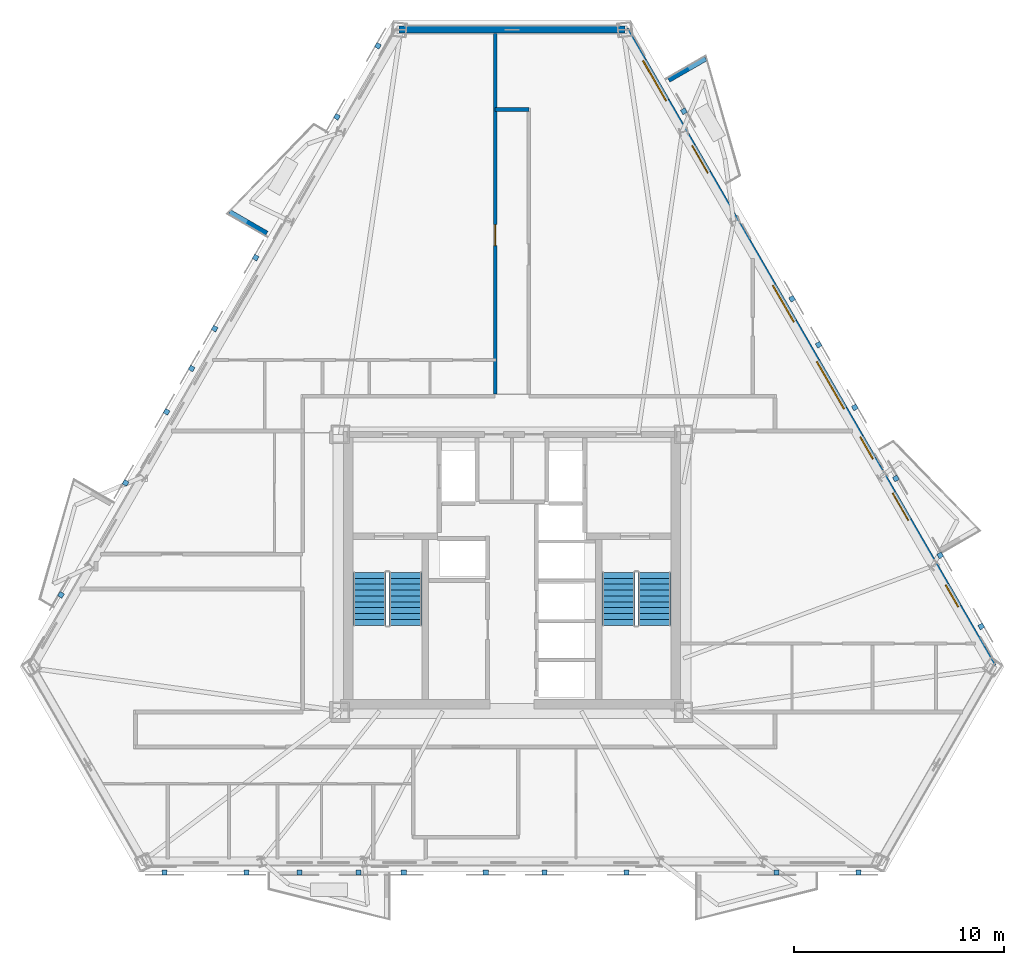
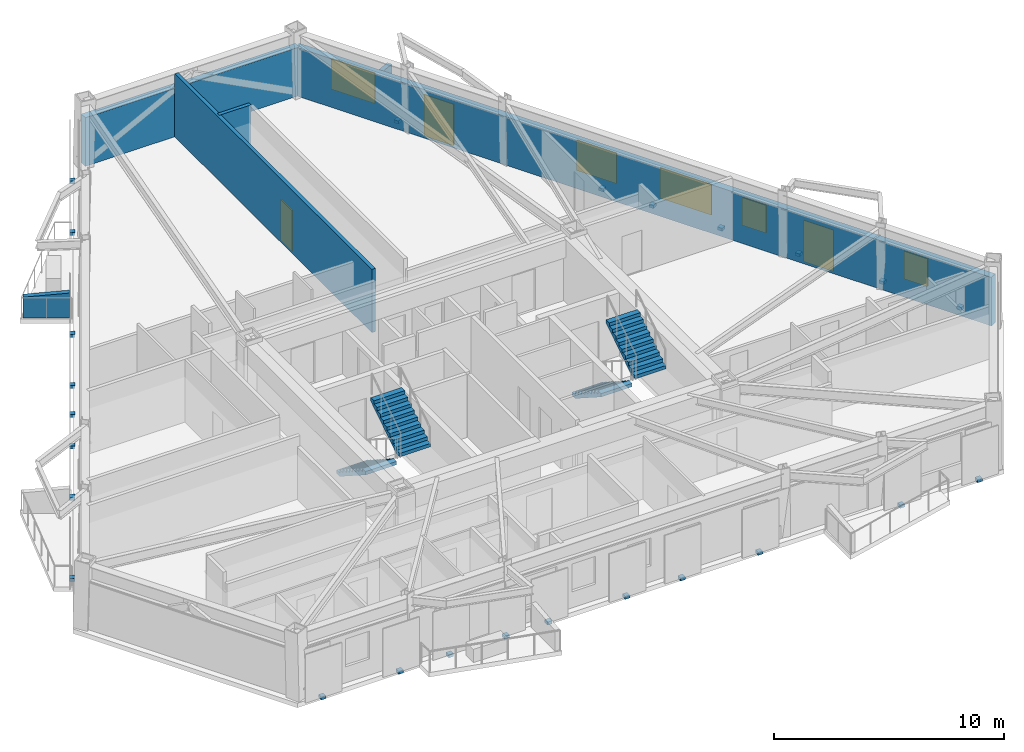
# One storey, part 6 of 9: 25 discrete accessories, 6 walls, 5 windows, 4 stair flights, 3 doors, 8 openings, 2 elements without a shape of their own.
"""IFC4 building model written with IfcOpenShell, lengths in metres."""

from ifc_helpers import new_model, si_unit, direction, frame, frame_2d, origin, origin_2d, place, context, subcontext, project, spatial, polyline, rectangle, outline, extrude, material, layer, layer_set, type_object, element, fill, aggregate, save


model = new_model("IFC4")

# Units and contexts
model_context = context("Model", 3, precision=1e-05, world=origin(), true_north=direction((0.0, 1.0)))
body_context = subcontext(model_context, "Body", "Model", "MODEL_VIEW")
ifc_project = project(units=[si_unit("LENGTHUNIT", "METRE"), si_unit("AREAUNIT", "SQUARE_METRE"), si_unit("VOLUMEUNIT", "CUBIC_METRE"), si_unit("PLANEANGLEUNIT", "RADIAN"), si_unit("MASSUNIT", "GRAM", prefix="KILO")], contexts=[model_context])

# Site, building, storey
site_placement = place(None, origin())
site = spatial("IfcSite", under=ifc_project, at=site_placement, CompositionType="ELEMENT")
building_placement = place(site_placement, origin())
building = spatial("IfcBuilding", under=site, at=building_placement, Name="Oramaril Tower", CompositionType="ELEMENT")
storey_placement = place(building_placement, frame((0.0, 0.0, 123.0)))
storey = spatial("IfcBuildingStorey", under=building, at=storey_placement, Name="L32", CompositionType="ELEMENT", Elevation=123.0)

# Wall, openings, doors, windows
ifc_material_1 = material(Name="Warm Cream Limestone", Category="masonry")
ifc_layer_1 = layer(ifc_material_1, 0.340087890625)
ifc_layer_set_1 = layer_set([ifc_layer_1], Name="WT-EXT34")
wall_type_1 = type_object("IfcWallType", Name="WT-EXT34", PredefinedType="SOLIDWALL", material=ifc_layer_set_1)
wall_1_placement = place(storey_placement, frame((60.363525390625, 13.10693359375, 0.0), z_axis=(0.0, 0.0, 1.0), x_axis=(-0.499996370967, 0.866027498997, 0.0)))
wall_1 = element("IfcWall", 1, at=wall_1_placement, inside=storey, type_object=wall_type_1, Name="L32 Tower Limestone Facade Wall 4M", PredefinedType="SOLIDWALL", context=body_context, shape_type="SweptSolid", body=[
    extrude(rectangle(XDim=34.975830078125, YDim=0.340087890625, at=frame_2d((17.48779296875, 0.0))), origin(), (0.0, 0.0, 1.0), 2.577880859375),
])
opening_1_placement = place(wall_1_placement, frame((8.034423828125, 0.0, 0.0)))
opening_1 = element("IfcOpeningElement", 2, at=opening_1_placement, cuts=wall_1, Name="Opening D-L32-BAL-NE1", PredefinedType="OPENING", context=body_context, shape_type="SweptSolid", body=[
    extrude(rectangle(XDim=1.5, YDim=2.199951171875, at=frame_2d((0.75, 1.10009765625))), frame((0.0, 0.169921875, 0.0), z_axis=(0.0, -1.0, 0.0), x_axis=(1.0, 0.0, 0.0)), (0.0, 0.0, 1.0), 0.340087890625),
])
opening_2_placement = place(wall_1_placement, frame((27.106201171875, 0.0, 0.0)))
opening_2 = element("IfcOpeningElement", 3, at=opening_2_placement, cuts=wall_1, Name="Opening D-L32-BAL-NE2", PredefinedType="OPENING", context=body_context, shape_type="SweptSolid", body=[
    extrude(rectangle(XDim=1.5, YDim=2.199951171875, at=frame_2d((0.75, 1.10009765625))), frame((0.0, 0.169921875, 0.0), z_axis=(0.0, -1.0, 0.0), x_axis=(1.0, 0.0, 0.0)), (0.0, 0.0, 1.0), 0.340087890625),
])
opening_3_placement = place(wall_1_placement, frame((3.284912109375, 0.0, 0.85009765625)))
opening_3 = element("IfcOpeningElement", 4, at=opening_3_placement, cuts=wall_1, Name="Opening WN-09", PredefinedType="OPENING", context=body_context, shape_type="SweptSolid", body=[
    extrude(rectangle(XDim=1.199951171875, YDim=1.47998046875, at=frame_2d((0.60009765625, 0.739990234375))), frame((0.0, 0.169921875, 0.0), z_axis=(0.0, -1.0, 0.0), x_axis=(1.0, 0.0, 0.0)), (0.0, 0.0, 1.0), 0.340087890625),
])
opening_4_placement = place(wall_1_placement, frame((11.405517578125, 0.0, 0.85009765625)))
opening_4 = element("IfcOpeningElement", 5, at=opening_4_placement, cuts=wall_1, Name="Opening WN-09", PredefinedType="OPENING", context=body_context, shape_type="SweptSolid", body=[
    extrude(rectangle(XDim=1.199951171875, YDim=1.47998046875, at=frame_2d((0.60009765625, 0.739990234375))), frame((0.0, 0.169921875, 0.0), z_axis=(0.0, -1.0, 0.0), x_axis=(1.0, 0.0, 0.0)), (0.0, 0.0, 1.0), 0.340087890625),
])
opening_5_placement = place(wall_1_placement, frame((31.066162109375, 0.0, 0.85009765625)))
opening_5 = element("IfcOpeningElement", 6, at=opening_5_placement, cuts=wall_1, Name="Opening WN-04", PredefinedType="OPENING", context=body_context, shape_type="SweptSolid", body=[
    extrude(rectangle(XDim=2.199951171875, YDim=1.617919921875, at=frame_2d((1.10009765625, 0.80908203125))), frame((0.0, 0.169921875, 0.0), z_axis=(0.0, -1.0, 0.0), x_axis=(1.0, 0.0, 0.0)), (0.0, 0.0, 1.0), 0.340087890625),
])
opening_6_placement = place(wall_1_placement, frame((14.148681640625, 0.0, 0.85009765625)))
opening_6 = element("IfcOpeningElement", 7, at=opening_6_placement, cuts=wall_1, Name="Opening WN-02", PredefinedType="OPENING", context=body_context, shape_type="SweptSolid", body=[
    extrude(rectangle(XDim=2.60009765625, YDim=1.617919921875, at=frame_2d((1.300048828125, 0.80908203125))), frame((0.0, 0.169921875, 0.0), z_axis=(0.0, -1.0, 0.0), x_axis=(1.0, 0.0, 0.0)), (0.0, 0.0, 1.0), 0.340087890625),
])
opening_7_placement = place(wall_1_placement, frame((18.923583984375, 0.0, 0.85009765625)))
opening_7 = element("IfcOpeningElement", 8, at=opening_7_placement, cuts=wall_1, Name="Opening WN-05", PredefinedType="OPENING", context=body_context, shape_type="SweptSolid", body=[
    extrude(rectangle(XDim=2.0, YDim=1.617919921875, at=frame_2d((1.0, 0.80908203125))), frame((0.0, 0.169921875, 0.0), z_axis=(0.0, -1.0, 0.0), x_axis=(1.0, 0.0, 0.0)), (0.0, 0.0, 1.0), 0.340087890625),
])
ifc_material_2 = material(Name="Anodised Aluminium 6063-T6", Category="aluminium")
door_type_1 = type_object("IfcDoorType", Name="DT-BAL", OperationType="NOTDEFINED", PredefinedType="DOOR", material=ifc_material_2)
door_1_placement = place(opening_1_placement, origin())
door_1 = element("IfcDoor", 9, at=door_1_placement, inside=storey, type_object=door_type_1, Name="L32 Balcony Glazed Door L32-BAL-NE1", OperationType="SINGLE_SWING_LEFT", OverallHeight=2.199951171875, OverallWidth=1.5, PredefinedType="DOOR", context=body_context, shape_type="SweptSolid", body=[
    extrude(rectangle(XDim=1.5, YDim=2.199951171875, at=frame_2d((0.75, 1.10009765625))), frame((0.0, 0.02490234375, 0.0), z_axis=(0.0, -1.0, 0.0), x_axis=(1.0, 0.0, 0.0)), (0.0, 0.0, 1.0), 0.050048828125),
])
fill(opening_1, door_1)
door_2_placement = place(opening_2_placement, origin())
door_2 = element("IfcDoor", 10, at=door_2_placement, inside=storey, type_object=door_type_1, Name="L32 Balcony Glazed Door L32-BAL-NE2", OperationType="SINGLE_SWING_RIGHT", OverallHeight=2.199951171875, OverallWidth=1.5, PredefinedType="DOOR", context=body_context, shape_type="SweptSolid", body=[
    extrude(rectangle(XDim=1.5, YDim=2.199951171875, at=frame_2d((0.75, 1.10009765625))), frame((0.0, 0.02490234375, 0.0), z_axis=(0.0, -1.0, 0.0), x_axis=(1.0, 0.0, 0.0)), (0.0, 0.0, 1.0), 0.050048828125),
])
fill(opening_2, door_2)
ifc_material_3 = material(Name="Coastal Low-E Insulated Glass", Category="glass")
window_type_1 = type_object("IfcWindowType", Name="WNT-02", PartitioningType="SINGLE_PANEL", PredefinedType="WINDOW", material=ifc_material_3)
window_1_placement = place(opening_6_placement, origin())
window_1 = element("IfcWindow", 11, at=window_1_placement, inside=storey, type_object=window_type_1, Name="L32 Chicago Bay Window WN-02", OverallHeight=1.617919921875, OverallWidth=2.60009765625, PartitioningType="SINGLE_PANEL", PredefinedType="WINDOW", context=body_context, shape_type="SweptSolid", body=[
    extrude(rectangle(XDim=2.60009765625, YDim=1.617919921875, at=frame_2d((1.300048828125, 0.80908203125))), frame((0.0, 0.030029296875, 0.0), z_axis=(0.0, -1.0, 0.0), x_axis=(1.0, 0.0, 0.0)), (0.0, 0.0, 1.0), 0.06005859375),
])
fill(opening_6, window_1)
ifc_material_4 = material(Name="Coastal Low-E Insulated Glass", Category="glass")
window_type_2 = type_object("IfcWindowType", Name="WNT-04", PartitioningType="SINGLE_PANEL", PredefinedType="WINDOW", material=ifc_material_4)
window_2_placement = place(opening_5_placement, origin())
window_2 = element("IfcWindow", 12, at=window_2_placement, inside=storey, type_object=window_type_2, Name="L32 Chicago Bay Window WN-04", OverallHeight=1.617919921875, OverallWidth=2.199951171875, PartitioningType="SINGLE_PANEL", PredefinedType="WINDOW", context=body_context, shape_type="SweptSolid", body=[
    extrude(rectangle(XDim=2.199951171875, YDim=1.617919921875, at=frame_2d((1.10009765625, 0.80908203125))), frame((0.0, 0.030029296875, 0.0), z_axis=(0.0, -1.0, 0.0), x_axis=(1.0, 0.0, 0.0)), (0.0, 0.0, 1.0), 0.06005859375),
])
fill(opening_5, window_2)
ifc_material_5 = material(Name="Coastal Low-E Insulated Glass", Category="glass")
window_type_3 = type_object("IfcWindowType", Name="WNT-05", PartitioningType="SINGLE_PANEL", PredefinedType="WINDOW", material=ifc_material_5)
window_3_placement = place(opening_7_placement, origin())
window_3 = element("IfcWindow", 13, at=window_3_placement, inside=storey, type_object=window_type_3, Name="L32 Chicago Bay Window WN-05", OverallHeight=1.617919921875, OverallWidth=2.0, PartitioningType="SINGLE_PANEL", PredefinedType="WINDOW", context=body_context, shape_type="SweptSolid", body=[
    extrude(rectangle(XDim=2.0, YDim=1.617919921875, at=frame_2d((1.0, 0.80908203125))), frame((0.0, 0.030029296875, 0.0), z_axis=(0.0, -1.0, 0.0), x_axis=(1.0, 0.0, 0.0)), (0.0, 0.0, 1.0), 0.06005859375),
])
fill(opening_7, window_3)
ifc_material_6 = material(Name="Coastal Low-E Insulated Glass", Category="glass")
window_type_4 = type_object("IfcWindowType", Name="WNT-09", PartitioningType="SINGLE_PANEL", PredefinedType="WINDOW", material=ifc_material_6)
window_4_placement = place(opening_3_placement, origin())
window_4 = element("IfcWindow", 14, at=window_4_placement, inside=storey, type_object=window_type_4, Name="L32 Chicago Bay Window WN-09", OverallHeight=1.47998046875, OverallWidth=1.199951171875, PartitioningType="SINGLE_PANEL", PredefinedType="WINDOW", context=body_context, shape_type="SweptSolid", body=[
    extrude(rectangle(XDim=1.199951171875, YDim=1.47998046875, at=frame_2d((0.60009765625, 0.739990234375))), frame((0.0, 0.030029296875, 0.0), z_axis=(0.0, -1.0, 0.0), x_axis=(1.0, 0.0, 0.0)), (0.0, 0.0, 1.0), 0.06005859375),
])
fill(opening_3, window_4)
window_5_placement = place(opening_4_placement, origin())
window_5 = element("IfcWindow", 15, at=window_5_placement, inside=storey, type_object=window_type_4, Name="L32 Chicago Bay Window WN-09", OverallHeight=1.47998046875, OverallWidth=1.199951171875, PartitioningType="SINGLE_PANEL", PredefinedType="WINDOW", context=body_context, shape_type="SweptSolid", body=[
    extrude(rectangle(XDim=1.199951171875, YDim=1.47998046875, at=frame_2d((0.60009765625, 0.739990234375))), frame((0.0, 0.030029296875, 0.0), z_axis=(0.0, -1.0, 0.0), x_axis=(1.0, 0.0, 0.0)), (0.0, 0.0, 1.0), 0.06005859375),
])
fill(opening_4, window_5)

# Walls
wall_2_placement = place(storey_placement, frame((42.875732421875, 43.39697265625, 0.0), z_axis=(0.0, 0.0, 1.0), x_axis=(-1.0, 0.0, 0.0)))
element("IfcWall", 16, at=wall_2_placement, inside=storey, type_object=wall_type_1, Name="L32 Tower Limestone Facade Wall 5M", PredefinedType="SOLIDWALL", context=body_context, shape_type="SweptSolid", body=[
    extrude(rectangle(XDim=10.75146484375, YDim=0.340087890625, at=frame_2d((5.375732421875, 0.0))), origin(), (0.0, 0.0, 1.0), 2.577880859375),
])
ifc_material_7 = material(Name="Concrete C40/50", Category="concrete")
ifc_layer_2 = layer(ifc_material_7, 0.22998046875)
ifc_layer_set_2 = layer_set([ifc_layer_2], Name="WT-PRP23")
wall_type_2 = type_object("IfcWallType", Name="WT-PRP23", PredefinedType="PARAPET", material=ifc_layer_set_2)
for number, where, z_axis, x_axis, name in (
    (17, (44.95068359375, 40.998779296875, 0.0), (0.0, 0.0, 1.0), (0.866042246008, 0.499970827278, 0.0), "L32 Trapezoidal Balcony Frame Cheek L32-BAL-NE2-R"),
    (18, (25.841796875, 33.711181640625, 0.0), (0.0, 0.0, 1.0), (-0.866042246008, 0.499970827278, 0.0), "L32 Trapezoidal Balcony Frame Cheek L32-BAL-NW1-R"),
):
    element("IfcWall", number, at=place(storey_placement, frame(where, z_axis=z_axis, x_axis=x_axis)), inside=storey, type_object=wall_type_2, Name=name, PredefinedType="PARAPET", context=body_context, shape_type="SweptSolid", body=[
        extrude(outline(polyline([(0.0, 0.0), (2.0419921875, 0.0), (2.0419921875, 1.10009765625), (0.0, 1.320068359375), (0.0, 0.0)])), frame((0.0, 0.114990234375, 0.0), z_axis=(0.0, -1.0, 0.0), x_axis=(1.0, 0.0, 0.0)), (0.0, 0.0, 1.0), 0.22998046875),
    ])
ifc_material_8 = material(Name="Autoclaved Cellular Concrete Block", Category="concrete")
ifc_layer_3 = layer(ifc_material_8, 0.179931640625)
ifc_layer_set_3 = layer_set([ifc_layer_3], Name="WT-PT18")
wall_type_3 = type_object("IfcWallType", Name="WT-PT18", PredefinedType="PARTITIONING", material=ifc_layer_set_3)
wall_3_placement = place(storey_placement, frame((36.699951171875, 39.60009765625, 0.0), z_axis=(0.0, 0.0, 1.0), x_axis=(1.0, 0.0, 0.0)))
element("IfcWall", 19, at=wall_3_placement, inside=storey, type_object=wall_type_3, Name="L32 Interior Partition PT-18", PredefinedType="PARTITIONING", context=body_context, shape_type="SweptSolid", body=[
    extrude(rectangle(XDim=1.60009765625, YDim=0.179931640625, at=frame_2d((0.800048828125, 0.0))), origin(), (0.0, 0.0, 1.0), 3.360107421875),
])

# Wall, opening, door
wall_4_placement = place(storey_placement, frame((36.699951171875, 26.06396484375, 0.0), z_axis=(0.0, 0.0, 1.0), x_axis=(0.0, 1.0, 0.0)))
wall_4 = element("IfcWall", 20, at=wall_4_placement, inside=storey, type_object=wall_type_3, Name="L32 Interior Partition PT-18", PredefinedType="PARTITIONING", context=body_context, shape_type="SweptSolid", body=[
    extrude(rectangle(XDim=17.158935546875, YDim=0.179931640625, at=frame_2d((8.57958984375, 0.0))), origin(), (0.0, 0.0, 1.0), 3.360107421875),
])
opening_8_placement = place(wall_4_placement, frame((7.06005859375, 0.0, 0.0)))
opening_8 = element("IfcOpeningElement", 21, at=opening_8_placement, cuts=wall_4, Name="Opening D-L32-22", PredefinedType="OPENING", context=body_context, shape_type="SweptSolid", body=[
    extrude(rectangle(XDim=1.0, YDim=2.179931640625, at=frame_2d((0.5, 1.08984375))), frame((0.0, 0.08984375, 0.0), z_axis=(0.0, -1.0, 0.0), x_axis=(1.0, 0.0, 0.0)), (0.0, 0.0, 1.0), 0.179931640625),
])
ifc_material_9 = material(Name="FSC Brazilian Freijo Hardwood", Category="wood")
door_type_2 = type_object("IfcDoorType", Name="DT-APT", OperationType="NOTDEFINED", PredefinedType="DOOR", material=ifc_material_9)
door_3_placement = place(opening_8_placement, origin())
door_3 = element("IfcDoor", 22, at=door_3_placement, inside=storey, type_object=door_type_2, Name="L32 Flat L32-U5 Studio Apartment Door D-L32-22", OperationType="SINGLE_SWING_RIGHT", OverallHeight=2.179931640625, OverallWidth=1.0, PredefinedType="DOOR", context=body_context, shape_type="SweptSolid", body=[
    extrude(rectangle(XDim=1.0, YDim=2.179931640625, at=frame_2d((0.5, 1.08984375))), frame((0.0, 0.02490234375, 0.0), z_axis=(0.0, -1.0, 0.0), x_axis=(1.0, 0.0, 0.0)), (0.0, 0.0, 1.0), 0.050048828125),
])
fill(opening_8, door_3)

# Stair, stair flights
ifc_material_10 = material(Name="Concrete C50/60", Category="concrete")
stair_type = type_object("IfcStairType", Name="STT-DG-3600", PredefinedType="HALF_TURN_STAIR", material=ifc_material_10)
stair_1_placement = place(storey_placement, origin())
stair_1 = element("IfcStair", 23, at=stair_1_placement, inside=storey, type_object=stair_type, Name="L32 Protected PFP Exit Stair ST-1", PredefinedType="HALF_TURN_STAIR")
ifc_material_11 = material(Name="Concrete C50/60", Category="concrete")
stair_flight_type = type_object("IfcStairFlightType", Name="SFT-DG-3600", PredefinedType="STRAIGHT", material=ifc_material_11)
stair_flight_1_placement = place(storey_placement, frame((30.72998046875, 17.590087890625, 0.0), z_axis=(0.0, 0.0, 1.0), x_axis=(0.0, -1.0, 0.0)))
stair_flight_1 = element("IfcStairFlight", 24, at=stair_flight_1_placement, type_object=stair_flight_type, Name="ST-1 flight 1", NumberOfRisers=10, NumberOfTreads=9, PredefinedType="STRAIGHT", RiserHeight=0.18, TreadLength=0.28, context=body_context, shape_type="SweptSolid", body=[
    extrude(outline(polyline([(0.0, 0.0), (0.0, 0.179931640625), (0.280029296875, 0.179931640625), (0.280029296875, 0.360107421875), (0.56005859375, 0.360107421875), (0.56005859375, 0.5400390625), (0.840087890625, 0.5400390625), (0.840087890625, 0.719970703125), (1.1201171875, 0.719970703125), (1.1201171875, 0.89990234375), (1.39990234375, 0.89990234375), (1.39990234375, 1.080078125), (1.679931640625, 1.080078125), (1.679931640625, 1.260009765625), (1.9599609375, 1.260009765625), (1.9599609375, 1.43994140625), (2.239990234375, 1.43994140625), (2.239990234375, 1.6201171875), (2.52001953125, 1.6201171875), (2.52001953125, 1.800048828125), (2.52001953125, 1.44189453125), (0.277099609375, 0.0), (0.0, 0.0)])), frame((0.0, 0.780029296875, 0.0), z_axis=(0.0, -1.0, 0.0), x_axis=(1.0, 0.0, 0.0)), (0.0, 0.0, 1.0), 1.56005859375),
])
stair_flight_2_placement = place(storey_placement, frame((32.43994140625, 15.070068359375, 1.800048828125), z_axis=(0.0, 0.0, 1.0), x_axis=(0.0, 1.0, 0.0)))
stair_flight_2 = element("IfcStairFlight", 25, at=stair_flight_2_placement, type_object=stair_flight_type, Name="ST-1 flight 2", NumberOfRisers=10, NumberOfTreads=9, PredefinedType="STRAIGHT", RiserHeight=0.18, TreadLength=0.28, context=body_context, shape_type="SweptSolid", body=[
    extrude(outline(polyline([(0.0, 0.0), (0.0, 0.179931640625), (0.280029296875, 0.179931640625), (0.280029296875, 0.360107421875), (0.56005859375, 0.360107421875), (0.56005859375, 0.5400390625), (0.840087890625, 0.5400390625), (0.840087890625, 0.719970703125), (1.1201171875, 0.719970703125), (1.1201171875, 0.89990234375), (1.39990234375, 0.89990234375), (1.39990234375, 1.080078125), (1.679931640625, 1.080078125), (1.679931640625, 1.260009765625), (1.9599609375, 1.260009765625), (1.9599609375, 1.43994140625), (2.239990234375, 1.43994140625), (2.239990234375, 1.6201171875), (2.52001953125, 1.6201171875), (2.52001953125, 1.800048828125), (2.52001953125, 1.44189453125), (0.277099609375, 0.0), (0.0, 0.0)])), frame((0.0, 0.780029296875, 0.0), z_axis=(0.0, -1.0, 0.0), x_axis=(1.0, 0.0, 0.0)), (0.0, 0.0, 1.0), 1.56005859375),
])
aggregate(stair_1, [stair_flight_1, stair_flight_2])

stair_2_placement = place(storey_placement, origin())
stair_2 = element("IfcStair", 26, at=stair_2_placement, inside=storey, type_object=stair_type, Name="L32 Protected PFP Exit Stair ST-2", PredefinedType="HALF_TURN_STAIR")
stair_flight_3_placement = place(storey_placement, frame((42.56005859375, 17.590087890625, 0.0), z_axis=(0.0, 0.0, 1.0), x_axis=(0.0, -1.0, 0.0)))
stair_flight_3 = element("IfcStairFlight", 27, at=stair_flight_3_placement, type_object=stair_flight_type, Name="ST-2 flight 1", NumberOfRisers=10, NumberOfTreads=9, PredefinedType="STRAIGHT", RiserHeight=0.18, TreadLength=0.28, context=body_context, shape_type="SweptSolid", body=[
    extrude(outline(polyline([(0.0, 0.0), (0.0, 0.179931640625), (0.280029296875, 0.179931640625), (0.280029296875, 0.360107421875), (0.56005859375, 0.360107421875), (0.56005859375, 0.5400390625), (0.840087890625, 0.5400390625), (0.840087890625, 0.719970703125), (1.1201171875, 0.719970703125), (1.1201171875, 0.89990234375), (1.39990234375, 0.89990234375), (1.39990234375, 1.080078125), (1.679931640625, 1.080078125), (1.679931640625, 1.260009765625), (1.9599609375, 1.260009765625), (1.9599609375, 1.43994140625), (2.239990234375, 1.43994140625), (2.239990234375, 1.6201171875), (2.52001953125, 1.6201171875), (2.52001953125, 1.800048828125), (2.52001953125, 1.44189453125), (0.277099609375, 0.0), (0.0, 0.0)])), frame((0.0, 0.780029296875, 0.0), z_axis=(0.0, -1.0, 0.0), x_axis=(1.0, 0.0, 0.0)), (0.0, 0.0, 1.0), 1.56005859375),
])
stair_flight_4_placement = place(storey_placement, frame((44.27001953125, 15.070068359375, 1.800048828125), z_axis=(0.0, 0.0, 1.0), x_axis=(0.0, 1.0, 0.0)))
stair_flight_4 = element("IfcStairFlight", 28, at=stair_flight_4_placement, type_object=stair_flight_type, Name="ST-2 flight 2", NumberOfRisers=10, NumberOfTreads=9, PredefinedType="STRAIGHT", RiserHeight=0.18, TreadLength=0.28, context=body_context, shape_type="SweptSolid", body=[
    extrude(outline(polyline([(0.0, 0.0), (0.0, 0.179931640625), (0.280029296875, 0.179931640625), (0.280029296875, 0.360107421875), (0.56005859375, 0.360107421875), (0.56005859375, 0.5400390625), (0.840087890625, 0.5400390625), (0.840087890625, 0.719970703125), (1.1201171875, 0.719970703125), (1.1201171875, 0.89990234375), (1.39990234375, 0.89990234375), (1.39990234375, 1.080078125), (1.679931640625, 1.080078125), (1.679931640625, 1.260009765625), (1.9599609375, 1.260009765625), (1.9599609375, 1.43994140625), (2.239990234375, 1.43994140625), (2.239990234375, 1.6201171875), (2.52001953125, 1.6201171875), (2.52001953125, 1.800048828125), (2.52001953125, 1.44189453125), (0.277099609375, 0.0), (0.0, 0.0)])), frame((0.0, 0.780029296875, 0.0), z_axis=(0.0, -1.0, 0.0), x_axis=(1.0, 0.0, 0.0)), (0.0, 0.0, 1.0), 1.56005859375),
])
aggregate(stair_2, [stair_flight_3, stair_flight_4])

# Discrete accessories
for number, where, z_axis, x_axis, name in (
    (29, (32.35205078125, 3.316162109375, -0.14013671875), (0.0, 0.0, 1.0), (1.0, 0.0, 0.0), "L32 Solar Screen Slab Bracket"),
    (30, (36.251953125, 3.316162109375, -0.14013671875), (0.0, 0.0, 1.0), (1.0, 0.0, 0.0), "L32 Solar Screen Slab Bracket"),
    (31, (39.0400390625, 3.316162109375, -0.14013671875), (0.0, 0.0, 1.0), (1.0, 0.0, 0.0), "L32 Solar Screen Slab Bracket"),
    (32, (42.934814453125, 3.316162109375, -0.14013671875), (0.0, 0.0, 1.0), (1.0, 0.0, 0.0), "L32 Solar Screen Slab Bracket"),
    (33, (50.070556640625, 3.316162109375, -0.14013671875), (0.0, 0.0, 1.0), (1.0, 0.0, 0.0), "L32 Solar Screen Slab Bracket"),
    (34, (53.970703125, 3.316162109375, -0.14013671875), (0.0, 0.0, 1.0), (1.0, 0.0, 0.0), "L32 Solar Screen Slab Bracket"),
    (35, (20.982666015625, 3.316162109375, -0.14013671875), (0.0, 0.0, 1.0), (1.0, 0.0, 0.0), "L32 Solar Screen Slab Bracket"),
    (36, (24.882568359375, 3.316162109375, -0.14013671875), (0.0, 0.0, 1.0), (1.0, 0.0, 0.0), "L32 Solar Screen Slab Bracket"),
    (37, (27.394287109375, 3.316162109375, -0.14013671875), (0.0, 0.0, 1.0), (1.0, 0.0, 0.0), "L32 Solar Screen Slab Bracket"),
    (38, (30.205078125, 3.316162109375, -0.14013671875), (0.0, 0.0, 1.0), (1.0, 0.0, 0.0), "L32 Solar Screen Slab Bracket"),
    (39, (59.811767578125, 15.022705078125, -0.14013671875), (0.0, 0.0, 1.0), (-0.4999984885, 0.866026276448, 0.0), "L32 Solar Screen Slab Bracket"),
    (40, (57.86181640625, 18.400390625, -0.14013671875), (0.0, 0.0, 1.0), (-0.4999984885, 0.866026276448, 0.0), "L32 Solar Screen Slab Bracket"),
    (41, (55.75146484375, 22.055419921875, -0.14013671875), (0.0, 0.0, 1.0), (-0.4999984885, 0.866026276448, 0.0), "L32 Solar Screen Slab Bracket"),
    (42, (53.801513671875, 25.432861328125, -0.14013671875), (0.0, 0.0, 1.0), (-0.4999984885, 0.866026276448, 0.0), "L32 Solar Screen Slab Bracket"),
    (43, (45.671142578125, 39.514892578125, -0.14013671875), (0.0, 0.0, 1.0), (-0.4999984885, 0.866026276448, 0.0), "L32 Solar Screen Slab Bracket"),
    (44, (52.079833984375, 28.414794921875, -0.14013671875), (0.0, 0.0, 1.0), (-0.4999984885, 0.866026276448, 0.0), "L32 Solar Screen Slab Bracket"),
    (45, (50.8173828125, 30.601318359375, -0.14013671875), (0.0, 0.0, 1.0), (-0.4999984885, 0.866026276448, 0.0), "L32 Solar Screen Slab Bracket"),
    (46, (16.052978515625, 16.520263671875, -0.14013671875), (0.0, 0.0, 1.0), (-0.4999984885, -0.866026276448, 0.0), "L32 Solar Screen Slab Bracket"),
    (47, (21.07666015625, 25.2216796875, -0.14013671875), (0.0, 0.0, 1.0), (-0.4999984885, -0.866026276448, 0.0), "L32 Solar Screen Slab Bracket"),
    (48, (19.126708984375, 21.843994140625, -0.14013671875), (0.0, 0.0, 1.0), (-0.4999984885, -0.866026276448, 0.0), "L32 Solar Screen Slab Bracket"),
    (49, (31.1259765625, 42.627685546875, -0.14013671875), (0.0, 0.0, 1.0), (-0.4999984885, -0.866026276448, 0.0), "L32 Solar Screen Slab Bracket"),
    (50, (29.17578125, 39.250244140625, -0.14013671875), (0.0, 0.0, 1.0), (-0.4999984885, -0.866026276448, 0.0), "L32 Solar Screen Slab Bracket"),
    (51, (25.3125, 32.55859375, -0.14013671875), (0.0, 0.0, 1.0), (-0.4999984885, -0.866026276448, 0.0), "L32 Solar Screen Slab Bracket"),
    (52, (23.362548828125, 29.180908203125, -0.14013671875), (0.0, 0.0, 1.0), (-0.4999984885, -0.866026276448, 0.0), "L32 Solar Screen Slab Bracket"),
    (53, (22.268310546875, 27.28564453125, -0.14013671875), (0.0, 0.0, 1.0), (-0.4999984885, -0.866026276448, 0.0), "L32 Solar Screen Slab Bracket"),
):
    element("IfcDiscreteAccessory", number, at=place(storey_placement, frame(where, z_axis=z_axis, x_axis=x_axis)), inside=storey, Name=name, PredefinedType="BRACKET", context=body_context, shape_type="SweptSolid", body=[
        extrude(rectangle(XDim=0.239990234375, YDim=0.239990234375, at=origin_2d()), origin(), (0.0, 0.0, 1.0), 0.159912109375),
    ])

save(model, "model.ifc")
